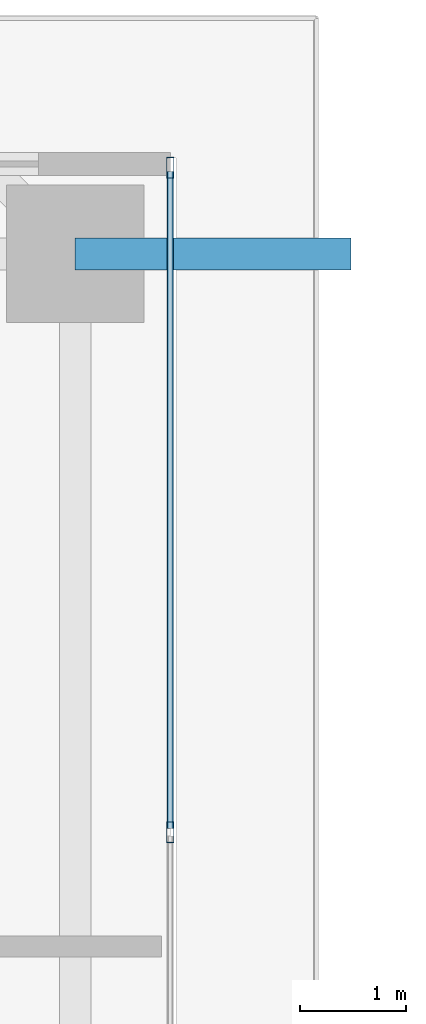
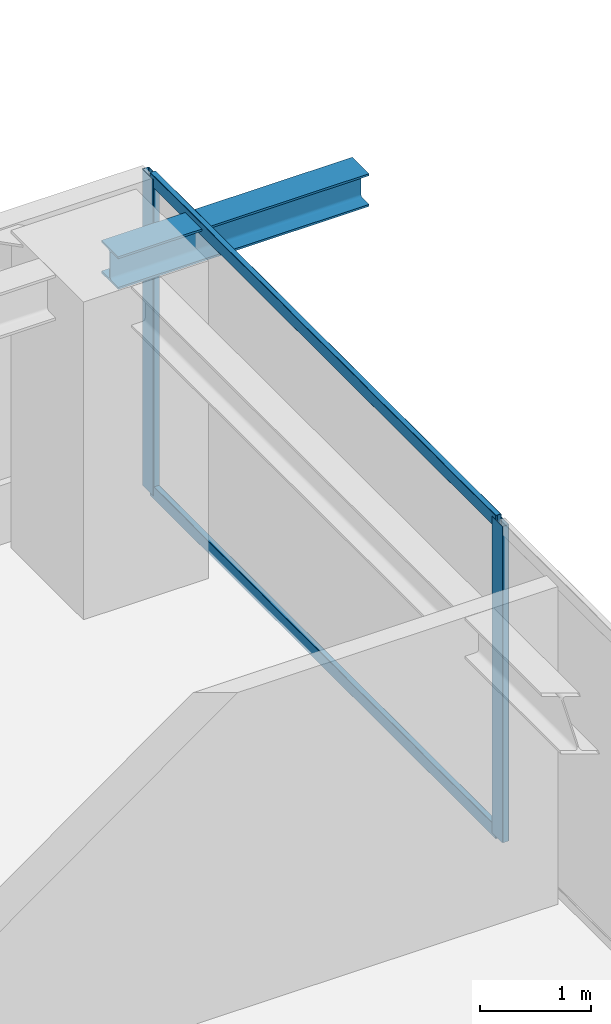
# One storey, part 21 of 34: 4 members, 1 beam, 1 element without a shape of its own.
"""IFC4 building model written with IfcOpenShell, lengths in metres."""

from ifc_helpers import new_model, si_unit, direction, frame, origin, origin_2d, place, context, subcontext, project, spatial, hollow_rectangle, i_section, extrude, source, transform, mapped, material, layer, layer_set, material_profile, profile_set, type_object, element, aggregate, save


model = new_model("IFC4")

# Units and contexts
model_context = context("Model", 3, precision=1e-05, world=origin(), true_north=direction((0.0, 1.0)))
body_context = subcontext(model_context, "Body", "Model", "MODEL_VIEW")
ifc_project = project(units=[si_unit("LENGTHUNIT", "METRE"), si_unit("AREAUNIT", "SQUARE_METRE"), si_unit("VOLUMEUNIT", "CUBIC_METRE"), si_unit("PLANEANGLEUNIT", "RADIAN"), si_unit("MASSUNIT", "GRAM", prefix="KILO")], contexts=[model_context])

# Site, building, storey
site_placement = place(None, origin())
site = spatial("IfcSite", under=ifc_project, at=site_placement, CompositionType="ELEMENT")
building_placement = place(site_placement, origin())
building = spatial("IfcBuilding", under=site, at=building_placement, Name="Serunith Strait Residences", CompositionType="ELEMENT")
storey_placement = place(building_placement, frame((0.0, 0.0, 142.64990234375)))
storey = spatial("IfcBuildingStorey", under=building, at=storey_placement, Name="L35", CompositionType="ELEMENT", Elevation=142.64990234375)

# Beam
ifc_material_1 = material(Name="Steel S355J2", Category="steel")
ifc_material_profile_1 = material_profile(ifc_material_1, i_section(OverallWidth=0.300048828125, OverallDepth=0.360107421875, WebThickness=0.012451171875, FlangeThickness=0.0224609375, FilletRadius=0.027099609375, at=origin_2d()), Name="HEB 360")
ifc_profile_set_1 = profile_set([ifc_material_profile_1], Name="Steel S355J2")
beam_type = type_object("IfcBeamType", Name="BM-HEB360", PredefinedType="BEAM", material=ifc_profile_set_1)
shared_shape_1 = source(origin(), body_context, "Body", "SweptSolid", [
    extrude(i_section(OverallWidth=0.300048828125, OverallDepth=0.360107421875, WebThickness=0.012451171875, FlangeThickness=0.0224609375, FilletRadius=0.027099609375, at=origin_2d()), origin(), (0.0, 0.0, 1.0), 2.60693359375),
])
beam_placement = place(storey_placement, frame((56.10009765625, 40.14990234375, 3.277099609375), z_axis=(1.0, 0.0, 0.0), x_axis=(0.0, 1.0, 0.0)))
element("IfcBeam", 1, at=beam_placement, inside=storey, type_object=beam_type, Name="L36 Cantilevered Balcony Rib TC-E4", PredefinedType="BEAM", context=body_context, shape_type="MappedRepresentation", body=[
    mapped(shared_shape_1, transform((0.0, 0.0, 0.0), scale=1.0)),
])

# Curtain wall, members
ifc_material_2 = material(Name="Pale-Champagne Anodised Aluminium", Category="aluminium")
ifc_layer = layer(ifc_material_2, 0.199951171875, Name="Pale-Champagne Anodised Aluminium")
ifc_layer_set = layer_set([ifc_layer], Name="Pale-Champagne Anodised Aluminium")
curtain_wall_type = type_object("IfcCurtainWallType", Name="CW-SYS2", PredefinedType="NOTDEFINED", material=ifc_layer_set)
curtain_wall_placement = place(storey_placement, origin())
curtain_wall = element("IfcCurtainWall", 2, at=curtain_wall_placement, inside=storey, type_object=curtain_wall_type, Name="L35 E Unitised Fritted Curtain Wall", PredefinedType="NOTDEFINED")
ifc_material_profile_2 = material_profile(ifc_material_2, hollow_rectangle(XDim=0.070068359375, YDim=0.199951171875, WallThickness=0.00390625, InnerFilletRadius=0.006103515625, OuterFilletRadius=0.010009765625, at=origin_2d()), Name="ALU 200x70x4")
ifc_profile_set_2 = profile_set([ifc_material_profile_2], Name="Pale-Champagne Anodised Aluminium")
member_type_1 = type_object("IfcMemberType", Name="CW-SYS2-MULL", PredefinedType="MULLION", material=ifc_profile_set_2)
shared_shape_2 = source(origin(), body_context, "Body", "SweptSolid", [
    extrude(hollow_rectangle(XDim=0.070068359375, YDim=0.199951171875, WallThickness=0.00390625, InnerFilletRadius=0.006103515625, OuterFilletRadius=0.010009765625, at=origin_2d()), origin(), (0.0, 0.0, 1.0), 3.47509765625),
])
member_1_placement = place(storey_placement, frame((57.0, 34.679931640625, 0.0), z_axis=(0.0, 0.0, 1.0), x_axis=(-1.0, 0.0, 0.0)))
member_1 = element("IfcMember", 3, at=member_1_placement, type_object=member_type_1, Name="CW-2 mullion 5", PredefinedType="MULLION", context=body_context, shape_type="MappedRepresentation", body=[
    mapped(shared_shape_2, transform((0.0, 0.0, 0.0), scale=1.0)),
])
member_2_placement = place(storey_placement, frame((57.0, 40.965087890625, 0.0), z_axis=(0.0, 0.0, 1.0), x_axis=(-1.0, 0.0, 0.0)))
member_2 = element("IfcMember", 4, at=member_2_placement, type_object=member_type_1, Name="CW-2 mullion 6", PredefinedType="MULLION", context=body_context, shape_type="MappedRepresentation", body=[
    mapped(shared_shape_2, transform((0.0, 0.0, 0.0), scale=1.0)),
])
ifc_material_profile_3 = material_profile(ifc_material_2, hollow_rectangle(XDim=0.06005859375, YDim=0.139892578125, WallThickness=0.00341796875, InnerFilletRadius=0.00537109375, OuterFilletRadius=0.0087890625, at=origin_2d()), Name="ALU 140x60x3.5")
ifc_profile_set_3 = profile_set([ifc_material_profile_3], Name="Pale-Champagne Anodised Aluminium")
member_type_2 = type_object("IfcMemberType", Name="CW-SYS2-TRAN", PredefinedType="USERDEFINED", material=ifc_profile_set_3)
shared_shape_3 = source(origin(), body_context, "Body", "SweptSolid", [
    extrude(hollow_rectangle(XDim=0.06005859375, YDim=0.139892578125, WallThickness=0.00341796875, InnerFilletRadius=0.00537109375, OuterFilletRadius=0.0087890625, at=origin_2d()), origin(), (0.0, 0.0, 1.0), 6.21484375),
])
member_3_placement = place(storey_placement, frame((57.0, 34.715087890625, 0.030029296875), z_axis=(0.0, 1.0, 0.0), x_axis=(-1.0, 0.0, 0.0)))
member_3 = element("IfcMember", 5, at=member_3_placement, type_object=member_type_2, Name="CW-2 transom 5.1", ObjectType="TRANSOM", PredefinedType="USERDEFINED", context=body_context, shape_type="MappedRepresentation", body=[
    mapped(shared_shape_3, transform((0.0, 0.0, 0.0), scale=1.0)),
])
member_4_placement = place(storey_placement, frame((57.0, 34.715087890625, 3.445068359375), z_axis=(0.0, 1.0, 0.0), x_axis=(-1.0, 0.0, 0.0)))
member_4 = element("IfcMember", 6, at=member_4_placement, type_object=member_type_2, Name="CW-2 transom 5.2", ObjectType="TRANSOM", PredefinedType="USERDEFINED", context=body_context, shape_type="MappedRepresentation", body=[
    mapped(shared_shape_3, transform((0.0, 0.0, 0.0), scale=1.0)),
])
aggregate(curtain_wall, [member_1, member_2, member_3, member_4])

save(model, "model.ifc")
